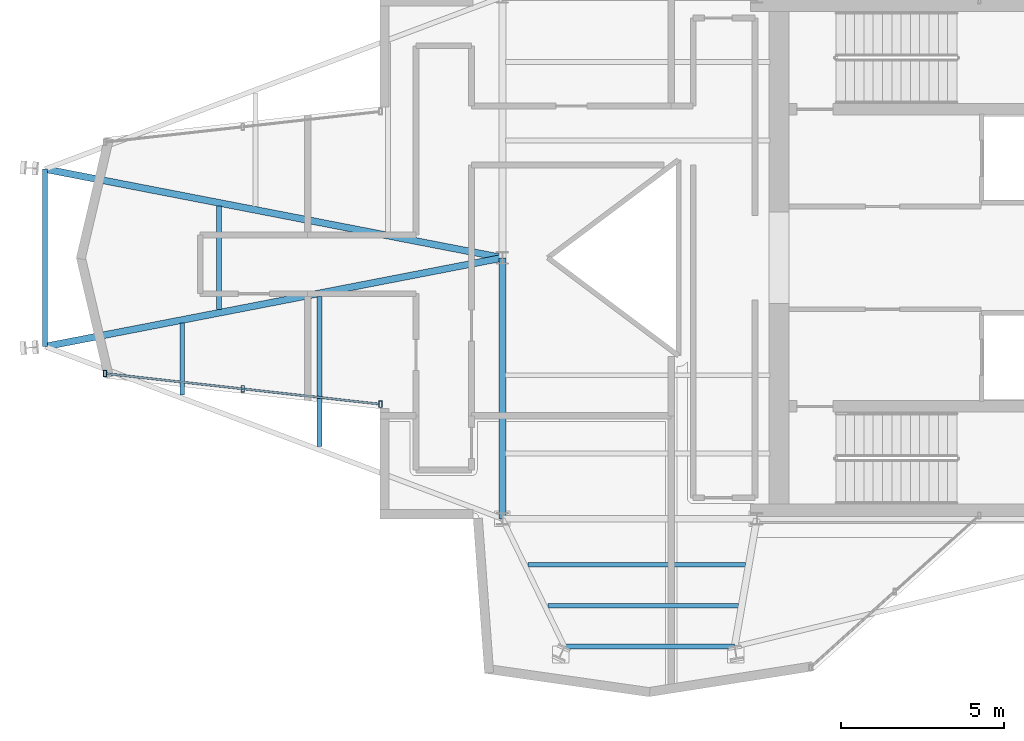
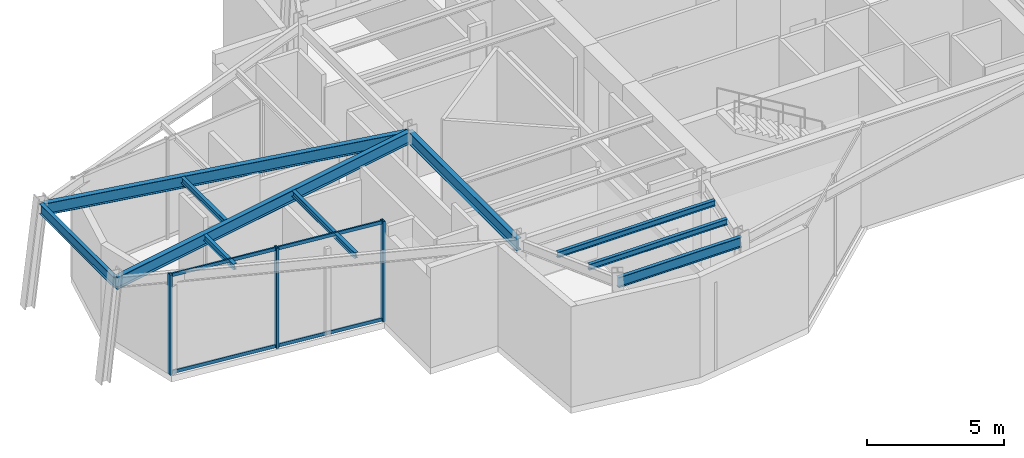
# One storey, part 2 of 11: 10 beams, 5 members, 1 element without a shape of its own.
"""IFC4 building model written with IfcOpenShell, lengths in metres."""

from ifc_helpers import new_model, si_unit, direction, frame, origin, origin_2d, place, context, subcontext, project, spatial, hollow_rectangle, i_section, extrude, material, layer, layer_set, material_profile, profile_set, type_object, element, aggregate, save


model = new_model("IFC4")

# Units and contexts
model_context = context("Model", 3, precision=1e-05, world=origin(), true_north=direction((0.0, 1.0)))
body_context = subcontext(model_context, "Body", "Model", "MODEL_VIEW")
ifc_project = project(units=[si_unit("LENGTHUNIT", "METRE"), si_unit("AREAUNIT", "SQUARE_METRE"), si_unit("VOLUMEUNIT", "CUBIC_METRE"), si_unit("PLANEANGLEUNIT", "RADIAN"), si_unit("MASSUNIT", "GRAM", prefix="KILO")], contexts=[model_context])

# Site, building, storey
site_placement = place(None, origin())
site = spatial("IfcSite", under=ifc_project, at=site_placement, CompositionType="ELEMENT")
building_placement = place(site_placement, origin())
building = spatial("IfcBuilding", under=site, at=building_placement, Name="Veymaron Broadcast Tower", CompositionType="ELEMENT")
storey_placement = place(building_placement, frame((0.0, 0.0, 327.60009765625)))
storey = spatial("IfcBuildingStorey", under=building, at=storey_placement, Name="L77", CompositionType="ELEMENT", Elevation=327.60009765625)

# Beams
ifc_material_1 = material(Name="Structural steel ASTM A992 Gr 50", Category="steel")
ifc_material_profile_1 = material_profile(ifc_material_1, i_section(OverallWidth=0.208984375, OverallDepth=0.528076171875, WebThickness=0.009521484375, FlangeThickness=0.01318359375, at=origin_2d()), Name="W530X82")
ifc_profile_set_1 = profile_set([ifc_material_profile_1], Name="Structural steel ASTM A992 Gr 50")
beam_type_1 = type_object("IfcBeamType", Name="BM-FG4", PredefinedType="BEAM", material=ifc_profile_set_1)
beam_1_placement = place(storey_placement, frame((31.199951171875, 16.0, 4.2158203125), z_axis=(0.0, 1.0, 0.0), x_axis=(-1.0, 0.0, 0.0)))
element("IfcBeam", 1, at=beam_1_placement, inside=storey, type_object=beam_type_1, Name="L77 primary structural floor girder", PredefinedType="BEAM", context=body_context, shape_type="SweptSolid", body=[
    extrude(i_section(OverallWidth=0.208984375, OverallDepth=0.528076171875, WebThickness=0.009521484375, FlangeThickness=0.01318359375, at=origin_2d()), origin(), (0.0, 0.0, 1.0), 8.0),
])
for number, where, z_axis, x_axis, name in (
    (2, (17.18408203125, 21.280029296875, 4.2158203125), (0.981685363046, 0.190509443288, 0.0), (-0.190509443288, 0.981685363046, 0.0), "L77 primary structural floor girder"),
    (3, (17.18408203125, 26.719970703125, 4.2158203125), (0.981685363046, -0.190509443288, 0.0), (0.190509443288, 0.981685363046, 0.0), "L77 primary structural floor girder"),
):
    element("IfcBeam", number, at=place(storey_placement, frame(where, z_axis=z_axis, x_axis=x_axis)), inside=storey, type_object=beam_type_1, Name=name, PredefinedType="BEAM", context=body_context, shape_type="SweptSolid", body=[
        extrude(i_section(OverallWidth=0.208984375, OverallDepth=0.528076171875, WebThickness=0.009521484375, FlangeThickness=0.01318359375, at=origin_2d()), origin(), (0.0, 0.0, 1.0), 14.27734375),
    ])
ifc_material_profile_2 = material_profile(ifc_material_1, i_section(OverallWidth=0.14599609375, OverallDepth=0.258056640625, WebThickness=0.006103515625, FlangeThickness=0.009033203125, at=origin_2d()), Name="W250X33")
ifc_profile_set_2 = profile_set([ifc_material_profile_2], Name="Structural steel ASTM A992 Gr 50")
beam_type_2 = type_object("IfcBeamType", Name="BM-JS4", PredefinedType="JOIST", material=ifc_profile_set_2)
beam_2_placement = place(storey_placement, frame((21.388916015625, 19.7958984375, 4.350830078125), z_axis=(0.0, 1.0, 0.0), x_axis=(-1.0, 0.0, 0.0)))
element("IfcBeam", 4, at=beam_2_placement, inside=storey, type_object=beam_type_2, Name="L77 Arm-A secondary joist 1S", PredefinedType="JOIST", context=body_context, shape_type="SweptSolid", body=[
    extrude(i_section(OverallWidth=0.14599609375, OverallDepth=0.258056640625, WebThickness=0.006103515625, FlangeThickness=0.009033203125, at=origin_2d()), origin(), (0.0, 0.0, 1.0), 2.2001953125),
])
beam_3_placement = place(storey_placement, frame((22.510009765625, 22.41357421875, 4.350830078125), z_axis=(0.0, 1.0, 0.0), x_axis=(-1.0, 0.0, 0.0)))
element("IfcBeam", 5, at=beam_3_placement, inside=storey, type_object=beam_type_2, Name="L77 Arm-A secondary joist 1M", PredefinedType="JOIST", context=body_context, shape_type="SweptSolid", body=[
    extrude(i_section(OverallWidth=0.14599609375, OverallDepth=0.258056640625, WebThickness=0.006103515625, FlangeThickness=0.009033203125, at=origin_2d()), origin(), (0.0, 0.0, 1.0), 3.1728515625),
])
beam_4_placement = place(storey_placement, frame((25.593505859375, 18.2119140625, 4.350830078125), z_axis=(0.0, 1.0, 0.0), x_axis=(-1.0, 0.0, 0.0)))
element("IfcBeam", 6, at=beam_4_placement, inside=storey, type_object=beam_type_2, Name="L77 Arm-A secondary joist 2S", PredefinedType="JOIST", context=body_context, shape_type="SweptSolid", body=[
    extrude(i_section(OverallWidth=0.14599609375, OverallDepth=0.258056640625, WebThickness=0.006103515625, FlangeThickness=0.009033203125, at=origin_2d()), origin(), (0.0, 0.0, 1.0), 4.60009765625),
])
beam_5_placement = place(storey_placement, frame((31.9853515625, 14.5888671875, 4.350830078125), z_axis=(1.0, 0.0, 0.0), x_axis=(0.0, 1.0, 0.0)))
element("IfcBeam", 7, at=beam_5_placement, inside=storey, type_object=beam_type_2, Name="L77 Arm-C secondary joist 1", PredefinedType="JOIST", context=body_context, shape_type="SweptSolid", body=[
    extrude(i_section(OverallWidth=0.14599609375, OverallDepth=0.258056640625, WebThickness=0.006103515625, FlangeThickness=0.009033203125, at=origin_2d()), origin(), (0.0, 0.0, 1.0), 6.669921875),
])
beam_6_placement = place(storey_placement, frame((32.5947265625, 13.33447265625, 4.350830078125), z_axis=(1.0, 0.0, 0.0), x_axis=(0.0, 1.0, 0.0)))
element("IfcBeam", 8, at=beam_6_placement, inside=storey, type_object=beam_type_2, Name="L77 Arm-C secondary joist 2", PredefinedType="JOIST", context=body_context, shape_type="SweptSolid", body=[
    extrude(i_section(OverallWidth=0.14599609375, OverallDepth=0.258056640625, WebThickness=0.006103515625, FlangeThickness=0.009033203125, at=origin_2d()), origin(), (0.0, 0.0, 1.0), 5.8427734375),
])
ifc_material_profile_3 = material_profile(ifc_material_1, i_section(OverallWidth=0.154052734375, OverallDepth=0.458984375, WebThickness=0.009033203125, FlangeThickness=0.015380859375, at=origin_2d()), Name="W460X68")
ifc_profile_set_3 = profile_set([ifc_material_profile_3], Name="Structural steel ASTM A992 Gr 50")
beam_type_3 = type_object("IfcBeamType", Name="BM-SP2", PredefinedType="SPANDREL", material=ifc_profile_set_3)
beam_7_placement = place(storey_placement, frame((17.18408203125, 21.280029296875, 4.25048828125), z_axis=(0.0, 1.0, 0.0), x_axis=(-1.0, 0.0, 0.0)))
element("IfcBeam", 9, at=beam_7_placement, inside=storey, type_object=beam_type_3, Name="L77 primary structural floor girder", PredefinedType="SPANDREL", context=body_context, shape_type="SweptSolid", body=[
    extrude(i_section(OverallWidth=0.154052734375, OverallDepth=0.458984375, WebThickness=0.009033203125, FlangeThickness=0.015380859375, at=origin_2d()), origin(), (0.0, 0.0, 1.0), 5.43994140625),
])
beam_8_placement = place(storey_placement, frame((33.10400390625, 12.080078125, 4.25048828125), z_axis=(1.0, 0.0, 0.0), x_axis=(0.0, 1.0, 0.0)))
element("IfcBeam", 10, at=beam_8_placement, inside=storey, type_object=beam_type_3, Name="L77 primary structural floor girder", PredefinedType="SPANDREL", context=body_context, shape_type="SweptSolid", body=[
    extrude(i_section(OverallWidth=0.154052734375, OverallDepth=0.458984375, WebThickness=0.009033203125, FlangeThickness=0.015380859375, at=origin_2d()), origin(), (0.0, 0.0, 1.0), 5.216064453125),
])

# Curtain wall, members
ifc_material_2 = material(Name="Anodised aluminium AA 6063-T6 and laminated low-E dark glass", Category="aluminium")
ifc_layer = layer(ifc_material_2, 0.179931640625)
ifc_layer_set = layer_set([ifc_layer], Name="Anodised aluminium AA 6063-T6 and laminated low-E dark glass")
curtain_wall_type = type_object("IfcCurtainWallType", Name="CW-SYS-07", PredefinedType="NOTDEFINED", material=ifc_layer_set)
curtain_wall_placement = place(storey_placement, origin())
curtain_wall = element("IfcCurtainWall", 11, at=curtain_wall_placement, inside=storey, type_object=curtain_wall_type, Name="L77 dark-glass curtain wall CW-L77-E14-1", PredefinedType="NOTDEFINED")
ifc_material_3 = material(Name="Anodised aluminium AA 6063-T6", Category="aluminium")
ifc_material_profile_4 = material_profile(ifc_material_3, hollow_rectangle(XDim=0.10009765625, YDim=0.199951171875, WallThickness=0.010009765625, at=origin_2d()), Name="RHS200X100X10")
ifc_profile_set_4 = profile_set([ifc_material_profile_4], Name="Anodised aluminium AA 6063-T6")
member_type_1 = type_object("IfcMemberType", Name="CW-MUL-01", PredefinedType="MULLION", material=ifc_profile_set_4)
member_1_placement = place(storey_placement, frame((19.015380859375, 20.45361328125, 0.0), z_axis=(0.0, 0.0, 1.0), x_axis=(1.0, 0.0, 0.0)))
member_1 = element("IfcMember", 12, at=member_1_placement, type_object=member_type_1, Name="CW-L77-E14-1 mullion 0", PredefinedType="MULLION", context=body_context, shape_type="SweptSolid", body=[
    extrude(hollow_rectangle(XDim=0.10009765625, YDim=0.199951171875, WallThickness=0.010009765625, at=origin_2d()), origin(), (0.0, 0.0, 1.0), 4.47998046875),
])
member_2_placement = place(storey_placement, frame((23.239501953125, 19.983154296875, 0.0), z_axis=(0.0, 0.0, 1.0), x_axis=(1.0, 0.0, 0.0)))
member_2 = element("IfcMember", 13, at=member_2_placement, type_object=member_type_1, Name="CW-L77-E14-1 mullion 1", PredefinedType="MULLION", context=body_context, shape_type="SweptSolid", body=[
    extrude(hollow_rectangle(XDim=0.10009765625, YDim=0.199951171875, WallThickness=0.010009765625, at=origin_2d()), origin(), (0.0, 0.0, 1.0), 4.47998046875),
])
member_3_placement = place(storey_placement, frame((27.46337890625, 19.5126953125, 0.0), z_axis=(0.0, 0.0, 1.0), x_axis=(1.0, 0.0, 0.0)))
member_3 = element("IfcMember", 14, at=member_3_placement, type_object=member_type_1, Name="CW-L77-E14-1 mullion 2", PredefinedType="MULLION", context=body_context, shape_type="SweptSolid", body=[
    extrude(hollow_rectangle(XDim=0.10009765625, YDim=0.199951171875, WallThickness=0.010009765625, at=origin_2d()), origin(), (0.0, 0.0, 1.0), 4.47998046875),
])
ifc_material_profile_5 = material_profile(ifc_material_3, hollow_rectangle(XDim=0.06494140625, YDim=0.14990234375, WallThickness=0.00390625, at=origin_2d()), Name="AL150X65X4")
ifc_profile_set_5 = profile_set([ifc_material_profile_5], Name="Anodised aluminium AA 6063-T6")
member_type_2 = type_object("IfcMemberType", Name="CW-TRN-01", PredefinedType="USERDEFINED", material=ifc_profile_set_5)
member_4_placement = place(storey_placement, frame((19.065185546875, 20.4482421875, 0.06982421875), z_axis=(0.993853570947, -0.110702662643, 0.0), x_axis=(0.110702662643, 0.993853570947, 0.0)))
member_4 = element("IfcMember", 15, at=member_4_placement, type_object=member_type_2, Name="CW-L77-E14-1 transom B", ObjectType="TRANSOM", PredefinedType="USERDEFINED", context=body_context, shape_type="SweptSolid", body=[
    extrude(hollow_rectangle(XDim=0.06494140625, YDim=0.14990234375, WallThickness=0.00390625, at=origin_2d()), origin(), (0.0, 0.0, 1.0), 8.400146484375),
])
member_5_placement = place(storey_placement, frame((19.065185546875, 20.4482421875, 4.409912109375), z_axis=(0.993853570947, -0.110702662643, 0.0), x_axis=(0.110702662643, 0.993853570947, 0.0)))
member_5 = element("IfcMember", 16, at=member_5_placement, type_object=member_type_2, Name="CW-L77-E14-1 transom T", ObjectType="TRANSOM", PredefinedType="USERDEFINED", context=body_context, shape_type="SweptSolid", body=[
    extrude(hollow_rectangle(XDim=0.06494140625, YDim=0.14990234375, WallThickness=0.00390625, at=origin_2d()), origin(), (0.0, 0.0, 1.0), 8.400146484375),
])
aggregate(curtain_wall, [member_1, member_2, member_3, member_4, member_5])

save(model, "model.ifc")
